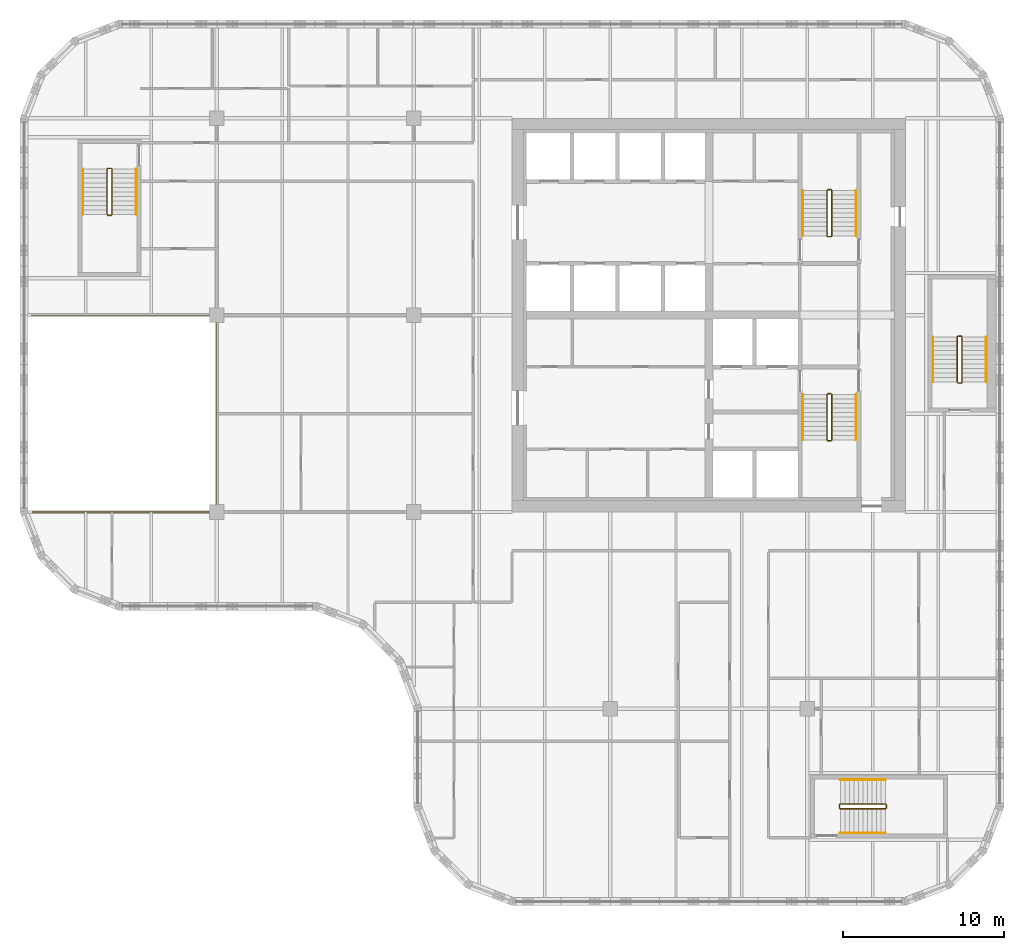
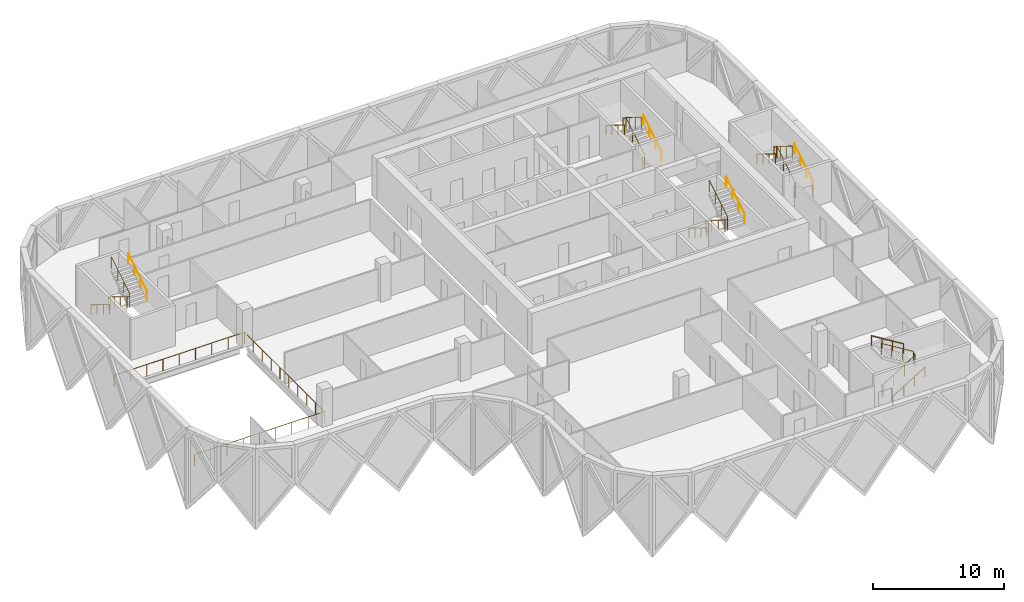
# One storey, part 15 of 15: 16 railings.
"""IFC4 building model written with IfcOpenShell, lengths in metres."""

from ifc_helpers import new_model, si_unit, direction, frame, origin, origin_2d, place, context, subcontext, project, spatial, circle, extrude, material, type_object, element, save


model = new_model("IFC4")

# Units and contexts
model_context = context("Model", 3, precision=1e-05, world=origin(), true_north=direction((0.0, 1.0)))
body_context = subcontext(model_context, "Body", "Model", "MODEL_VIEW")
ifc_project = project(units=[si_unit("LENGTHUNIT", "METRE"), si_unit("AREAUNIT", "SQUARE_METRE"), si_unit("VOLUMEUNIT", "CUBIC_METRE"), si_unit("PLANEANGLEUNIT", "RADIAN"), si_unit("MASSUNIT", "GRAM", prefix="KILO")], contexts=[model_context])

# Site, building, storey
site_placement = place(None, origin())
site = spatial("IfcSite", under=ifc_project, at=site_placement, CompositionType="ELEMENT")
building_placement = place(site_placement, origin())
building = spatial("IfcBuilding", under=site, at=building_placement, Name="Tessera Gate Towers", CompositionType="ELEMENT")
storey_placement = place(building_placement, frame((0.0, 0.0, 146.800048828125)))
storey = spatial("IfcBuildingStorey", under=building, at=storey_placement, Name="L36", CompositionType="ELEMENT", Elevation=146.800048828125)

# Railings
ifc_material_1 = material(Name="Toughened glass with stainless steel handrail", Category="steel")
railing_type_1 = type_object("IfcRailingType", Name="GUARD 1100 GLASS BALUSTRADE", PredefinedType="GUARDRAIL", material=ifc_material_1)
railing_1_placement = place(storey_placement, frame((0.750244140625, 24.39990234375, 0.0)))
element("IfcRailing", 1, at=railing_1_placement, inside=storey, type_object=railing_type_1, Name="Guard", PredefinedType="GUARDRAIL", context=body_context, shape_type="SweptSolid", body=[
    extrude(circle(Radius=0.02490234375, at=origin_2d()), frame((0.0, 0.0, 1.0751953125), z_axis=(1.0, 0.0, 0.0), x_axis=(0.0, 1.0, 0.0)), (0.0, 0.0, 1.0), 11.44970703125),
    extrude(circle(Radius=0.02490234375, at=origin_2d()), frame((11.44970703125, 0.0, 1.0751953125), z_axis=(0.0, 1.0, 0.0), x_axis=(-1.0, 0.0, 0.0)), (0.0, 0.0, 1.0), 12.2001953125),
    extrude(circle(Radius=0.02490234375, at=origin_2d()), frame((11.44970703125, 12.2001953125, 1.0751953125), z_axis=(-1.0, 0.0, 0.0), x_axis=(0.0, -1.0, 0.0)), (0.0, 0.0, 1.0), 11.5),
    extrude(circle(Radius=0.02490234375, at=origin_2d()), origin(), (0.0, 0.0, 1.0), 1.050048828125),
    extrude(circle(Radius=0.02490234375, at=origin_2d()), frame((1.43115234375, 0.0, 0.0)), (0.0, 0.0, 1.0), 1.050048828125),
    extrude(circle(Radius=0.02490234375, at=origin_2d()), frame((2.8623046875, 0.0, 0.0)), (0.0, 0.0, 1.0), 1.050048828125),
    extrude(circle(Radius=0.02490234375, at=origin_2d()), frame((4.293701171875, 0.0, 0.0)), (0.0, 0.0, 1.0), 1.050048828125),
    extrude(circle(Radius=0.02490234375, at=origin_2d()), frame((5.724853515625, 0.0, 0.0)), (0.0, 0.0, 1.0), 1.050048828125),
    extrude(circle(Radius=0.02490234375, at=origin_2d()), frame((7.156005859375, 0.0, 0.0)), (0.0, 0.0, 1.0), 1.050048828125),
    extrude(circle(Radius=0.02490234375, at=origin_2d()), frame((8.58740234375, 0.0, 0.0)), (0.0, 0.0, 1.0), 1.050048828125),
    extrude(circle(Radius=0.02490234375, at=origin_2d()), frame((10.0185546875, 0.0, 0.0)), (0.0, 0.0, 1.0), 1.050048828125),
    extrude(circle(Radius=0.02490234375, at=origin_2d()), frame((11.44970703125, 0.0, 0.0)), (0.0, 0.0, 1.0), 1.050048828125),
    extrude(circle(Radius=0.02490234375, at=origin_2d()), frame((11.44970703125, 1.35546875, 0.0)), (0.0, 0.0, 1.0), 1.050048828125),
    extrude(circle(Radius=0.02490234375, at=origin_2d()), frame((11.44970703125, 2.711181640625, 0.0)), (0.0, 0.0, 1.0), 1.050048828125),
    extrude(circle(Radius=0.02490234375, at=origin_2d()), frame((11.44970703125, 4.066650390625, 0.0)), (0.0, 0.0, 1.0), 1.050048828125),
    extrude(circle(Radius=0.02490234375, at=origin_2d()), frame((11.44970703125, 5.42236328125, 0.0)), (0.0, 0.0, 1.0), 1.050048828125),
    extrude(circle(Radius=0.02490234375, at=origin_2d()), frame((11.44970703125, 6.77783203125, 0.0)), (0.0, 0.0, 1.0), 1.050048828125),
    extrude(circle(Radius=0.02490234375, at=origin_2d()), frame((11.44970703125, 8.133544921875, 0.0)), (0.0, 0.0, 1.0), 1.050048828125),
    extrude(circle(Radius=0.02490234375, at=origin_2d()), frame((11.44970703125, 9.489013671875, 0.0)), (0.0, 0.0, 1.0), 1.050048828125),
    extrude(circle(Radius=0.02490234375, at=origin_2d()), frame((11.44970703125, 10.8447265625, 0.0)), (0.0, 0.0, 1.0), 1.050048828125),
    extrude(circle(Radius=0.02490234375, at=origin_2d()), frame((11.44970703125, 12.2001953125, 0.0)), (0.0, 0.0, 1.0), 1.050048828125),
    extrude(circle(Radius=0.02490234375, at=origin_2d()), frame((10.01220703125, 12.2001953125, 0.0)), (0.0, 0.0, 1.0), 1.050048828125),
    extrude(circle(Radius=0.02490234375, at=origin_2d()), frame((8.57470703125, 12.2001953125, 0.0)), (0.0, 0.0, 1.0), 1.050048828125),
    extrude(circle(Radius=0.02490234375, at=origin_2d()), frame((7.13720703125, 12.2001953125, 0.0)), (0.0, 0.0, 1.0), 1.050048828125),
    extrude(circle(Radius=0.02490234375, at=origin_2d()), frame((5.69970703125, 12.2001953125, 0.0)), (0.0, 0.0, 1.0), 1.050048828125),
    extrude(circle(Radius=0.02490234375, at=origin_2d()), frame((4.26220703125, 12.2001953125, 0.0)), (0.0, 0.0, 1.0), 1.050048828125),
    extrude(circle(Radius=0.02490234375, at=origin_2d()), frame((2.82470703125, 12.2001953125, 0.0)), (0.0, 0.0, 1.0), 1.050048828125),
    extrude(circle(Radius=0.02490234375, at=origin_2d()), frame((1.38720703125, 12.2001953125, 0.0)), (0.0, 0.0, 1.0), 1.050048828125),
    extrude(circle(Radius=0.02490234375, at=origin_2d()), frame((-0.05029296875, 12.2001953125, 0.0)), (0.0, 0.0, 1.0), 1.050048828125),
])
ifc_material_2 = material(Name="Steel 350W", Category="steel")
railing_type_2 = type_object("IfcRailingType", Name="STAIR GUARD 1100", PredefinedType="GUARDRAIL", material=ifc_material_2)
railing_2_placement = place(storey_placement, frame((50.27490234375, 31.72509765625, 0.0)))
element("IfcRailing", 2, at=railing_2_placement, inside=storey, type_object=railing_type_2, Name="L36 ST1 stair guard 1", PredefinedType="GUARDRAIL", context=body_context, shape_type="SweptSolid", body=[
    extrude(circle(Radius=0.02392578125, at=origin_2d()), frame((0.0, 0.0, 1.076171875), z_axis=(-1.0, 0.0, 0.0), x_axis=(0.0, -1.0, 0.0)), (0.0, 0.0, 1.0), 0.199951171875),
    extrude(circle(Radius=0.02392578125, at=origin_2d()), frame((-0.199951171875, 0.0, 1.076171875), z_axis=(-0.268277960024, -0.268277960024, 0.925231793839), x_axis=(0.707106781187, -0.707106781187, 0.0)), (0.0, 0.0, 1.0), 0.1865234375),
    extrude(circle(Radius=0.02392578125, at=origin_2d()), frame((-0.25, -0.050048828125, 1.24853515625), z_axis=(0.0, -0.851089632645, 0.525020415988), x_axis=(1.0, 0.0, 0.0)), (0.0, 0.0, 1.0), 3.2900390625),
    extrude(circle(Radius=0.02392578125, at=origin_2d()), frame((-0.25, -2.85009765625, 2.97607421875), z_axis=(0.707106781187, -0.707106781187, 0.0), x_axis=(0.707106781187, 0.707106781187, 0.0)), (0.0, 0.0, 1.0), 0.07080078125),
    extrude(circle(Radius=0.02392578125, at=origin_2d()), frame((-0.199951171875, -2.900146484375, 2.97607421875), z_axis=(1.0, 0.0, 0.0), x_axis=(0.0, 1.0, 0.0)), (0.0, 0.0, 1.0), 0.199951171875),
    extrude(circle(Radius=0.02392578125, at=origin_2d()), frame((0.0, -2.900146484375, 2.97607421875), z_axis=(0.267953482034, 0.267953482034, 0.925419830635), x_axis=(-0.707106781187, 0.707106781187, 0.0)), (0.0, 0.0, 1.0), 0.186767578125),
    extrude(circle(Radius=0.02392578125, at=origin_2d()), frame((0.050048828125, -2.85009765625, 3.14892578125), z_axis=(0.0, 0.851089632645, 0.525020415988), x_axis=(-1.0, 0.0, 0.0)), (0.0, 0.0, 1.0), 3.2900390625),
    extrude(circle(Radius=0.02099609375, at=origin_2d()), origin(), (0.0, 0.0, 1.0), 1.052001953125),
    extrude(circle(Radius=0.02099609375, at=origin_2d()), frame((-0.199951171875, 0.0, 0.0)), (0.0, 0.0, 1.0), 1.052001953125),
    extrude(circle(Radius=0.02099609375, at=origin_2d()), frame((-0.25, -0.050048828125, 0.172607421875)), (0.0, 0.0, 1.0), 1.052001953125),
    extrude(circle(Radius=0.02099609375, at=origin_2d()), frame((-0.25, -0.9833984375, 0.748291015625)), (0.0, 0.0, 1.0), 1.052001953125),
    extrude(circle(Radius=0.02099609375, at=origin_2d()), frame((-0.25, -1.916748046875, 1.32421875)), (0.0, 0.0, 1.0), 1.052001953125),
    extrude(circle(Radius=0.02099609375, at=origin_2d()), frame((-0.25, -2.85009765625, 1.89990234375)), (0.0, 0.0, 1.0), 1.052001953125),
    extrude(circle(Radius=0.02099609375, at=origin_2d()), frame((-0.199951171875, -2.900146484375, 1.89990234375)), (0.0, 0.0, 1.0), 1.052001953125),
    extrude(circle(Radius=0.02099609375, at=origin_2d()), frame((0.0, -2.900146484375, 1.89990234375)), (0.0, 0.0, 1.0), 1.052001953125),
    extrude(circle(Radius=0.02099609375, at=origin_2d()), frame((0.050048828125, -2.85009765625, 2.07275390625)), (0.0, 0.0, 1.0), 1.052001953125),
    extrude(circle(Radius=0.02099609375, at=origin_2d()), frame((0.050048828125, -1.916748046875, 2.6484375)), (0.0, 0.0, 1.0), 1.052001953125),
    extrude(circle(Radius=0.02099609375, at=origin_2d()), frame((0.050048828125, -0.9833984375, 3.224365234375)), (0.0, 0.0, 1.0), 1.052001953125),
    extrude(circle(Radius=0.02099609375, at=origin_2d()), frame((0.050048828125, -0.050048828125, 3.800048828125)), (0.0, 0.0, 1.0), 1.052001953125),
])
railing_3_placement = place(storey_placement, frame((50.074951171875, 41.47509765625, 0.0)))
element("IfcRailing", 3, at=railing_3_placement, inside=storey, type_object=railing_type_2, Name="L36 ST2 stair guard 1", PredefinedType="GUARDRAIL", context=body_context, shape_type="SweptSolid", body=[
    extrude(circle(Radius=0.02392578125, at=origin_2d()), frame((0.0, 0.0, 1.076171875), z_axis=(1.0, 0.0, 0.0), x_axis=(0.0, 1.0, 0.0)), (0.0, 0.0, 1.0), 0.199951171875),
    extrude(circle(Radius=0.02392578125, at=origin_2d()), frame((0.199951171875, 0.0, 1.076171875), z_axis=(0.268371968888, 0.267062837333, 0.925556009775), x_axis=(-0.705375805398, 0.708833529934, 0.0)), (0.0, 0.0, 1.0), 0.1865234375),
    extrude(circle(Radius=0.02392578125, at=origin_2d()), frame((0.25, 0.0498046875, 1.24853515625), z_axis=(0.0, 0.851089632645, 0.525020415988), x_axis=(-1.0, 0.0, 0.0)), (0.0, 0.0, 1.0), 3.2900390625),
    extrude(circle(Radius=0.02392578125, at=origin_2d()), frame((0.25, 2.849853515625, 2.97607421875), z_axis=(-0.707106781187, 0.707106781187, 0.0), x_axis=(-0.707106781187, -0.707106781187, 0.0)), (0.0, 0.0, 1.0), 0.07080078125),
    extrude(circle(Radius=0.02392578125, at=origin_2d()), frame((0.199951171875, 2.89990234375, 2.97607421875), z_axis=(-1.0, 0.0, 0.0), x_axis=(0.0, -1.0, 0.0)), (0.0, 0.0, 1.0), 0.199951171875),
    extrude(circle(Radius=0.02392578125, at=origin_2d()), frame((0.0, 2.89990234375, 2.97607421875), z_axis=(-0.267953482034, -0.267953482034, 0.925419830635), x_axis=(0.707106781187, -0.707106781187, 0.0)), (0.0, 0.0, 1.0), 0.186767578125),
    extrude(circle(Radius=0.02392578125, at=origin_2d()), frame((-0.050048828125, 2.849853515625, 3.14892578125), z_axis=(0.0, -0.851089632645, 0.525020415988), x_axis=(1.0, 0.0, 0.0)), (0.0, 0.0, 1.0), 3.2900390625),
    extrude(circle(Radius=0.02099609375, at=origin_2d()), origin(), (0.0, 0.0, 1.0), 1.052001953125),
    extrude(circle(Radius=0.02099609375, at=origin_2d()), frame((0.199951171875, 0.0, 0.0)), (0.0, 0.0, 1.0), 1.052001953125),
    extrude(circle(Radius=0.02099609375, at=origin_2d()), frame((0.25, 0.0498046875, 0.172607421875)), (0.0, 0.0, 1.0), 1.052001953125),
    extrude(circle(Radius=0.02099609375, at=origin_2d()), frame((0.25, 0.983154296875, 0.748291015625)), (0.0, 0.0, 1.0), 1.052001953125),
    extrude(circle(Radius=0.02099609375, at=origin_2d()), frame((0.25, 1.91650390625, 1.32421875)), (0.0, 0.0, 1.0), 1.052001953125),
    extrude(circle(Radius=0.02099609375, at=origin_2d()), frame((0.25, 2.849853515625, 1.89990234375)), (0.0, 0.0, 1.0), 1.052001953125),
    extrude(circle(Radius=0.02099609375, at=origin_2d()), frame((0.199951171875, 2.89990234375, 1.89990234375)), (0.0, 0.0, 1.0), 1.052001953125),
    extrude(circle(Radius=0.02099609375, at=origin_2d()), frame((0.0, 2.89990234375, 1.89990234375)), (0.0, 0.0, 1.0), 1.052001953125),
    extrude(circle(Radius=0.02099609375, at=origin_2d()), frame((-0.050048828125, 2.849853515625, 2.07275390625)), (0.0, 0.0, 1.0), 1.052001953125),
    extrude(circle(Radius=0.02099609375, at=origin_2d()), frame((-0.050048828125, 1.91650390625, 2.6484375)), (0.0, 0.0, 1.0), 1.052001953125),
    extrude(circle(Radius=0.02099609375, at=origin_2d()), frame((-0.050048828125, 0.983154296875, 3.224365234375)), (0.0, 0.0, 1.0), 1.052001953125),
    extrude(circle(Radius=0.02099609375, at=origin_2d()), frame((-0.050048828125, 0.0498046875, 3.800048828125)), (0.0, 0.0, 1.0), 1.052001953125),
])
railing_4_placement = place(storey_placement, frame((5.64990234375, 45.699951171875, 0.0)))
element("IfcRailing", 4, at=railing_4_placement, inside=storey, type_object=railing_type_2, Name="L36 ST3 stair guard 1", PredefinedType="GUARDRAIL", context=body_context, shape_type="SweptSolid", body=[
    extrude(circle(Radius=0.02392578125, at=origin_2d()), frame((0.0, 0.0, 1.076171875), z_axis=(-1.0, 0.0, 0.0), x_axis=(0.0, -1.0, 0.0)), (0.0, 0.0, 1.0), 0.199951171875),
    extrude(circle(Radius=0.02392578125, at=origin_2d()), frame((-0.199951171875, 0.0, 1.076171875), z_axis=(-0.268277960024, -0.268277960024, 0.925231793839), x_axis=(0.707106781187, -0.707106781187, 0.0)), (0.0, 0.0, 1.0), 0.1865234375),
    extrude(circle(Radius=0.02392578125, at=origin_2d()), frame((-0.25, -0.050048828125, 1.24853515625), z_axis=(0.0, -0.851069175582, 0.525053576669), x_axis=(1.0, 0.0, 0.0)), (0.0, 0.0, 1.0), 3.289794921875),
    extrude(circle(Radius=0.02392578125, at=origin_2d()), frame((-0.25, -2.849853515625, 2.97607421875), z_axis=(0.707106781187, -0.707106781187, 0.0), x_axis=(0.707106781187, 0.707106781187, 0.0)), (0.0, 0.0, 1.0), 0.07080078125),
    extrude(circle(Radius=0.02392578125, at=origin_2d()), frame((-0.199951171875, -2.89990234375, 2.97607421875), z_axis=(1.0, 0.0, 0.0), x_axis=(0.0, 1.0, 0.0)), (0.0, 0.0, 1.0), 0.199951171875),
    extrude(circle(Radius=0.02392578125, at=origin_2d()), frame((0.0, -2.89990234375, 2.97607421875), z_axis=(0.267953482034, 0.267953482034, 0.925419830635), x_axis=(-0.707106781187, 0.707106781187, 0.0)), (0.0, 0.0, 1.0), 0.186767578125),
    extrude(circle(Radius=0.02392578125, at=origin_2d()), frame((0.050048828125, -2.849853515625, 3.14892578125), z_axis=(0.0, 0.851069175582, 0.525053576669), x_axis=(-1.0, 0.0, 0.0)), (0.0, 0.0, 1.0), 3.289794921875),
    extrude(circle(Radius=0.02099609375, at=origin_2d()), origin(), (0.0, 0.0, 1.0), 1.052001953125),
    extrude(circle(Radius=0.02099609375, at=origin_2d()), frame((-0.199951171875, 0.0, 0.0)), (0.0, 0.0, 1.0), 1.052001953125),
    extrude(circle(Radius=0.02099609375, at=origin_2d()), frame((-0.25, -0.050048828125, 0.172607421875)), (0.0, 0.0, 1.0), 1.052001953125),
    extrude(circle(Radius=0.02099609375, at=origin_2d()), frame((-0.25, -0.9833984375, 0.748291015625)), (0.0, 0.0, 1.0), 1.052001953125),
    extrude(circle(Radius=0.02099609375, at=origin_2d()), frame((-0.25, -1.91650390625, 1.32421875)), (0.0, 0.0, 1.0), 1.052001953125),
    extrude(circle(Radius=0.02099609375, at=origin_2d()), frame((-0.25, -2.849853515625, 1.89990234375)), (0.0, 0.0, 1.0), 1.052001953125),
    extrude(circle(Radius=0.02099609375, at=origin_2d()), frame((-0.199951171875, -2.89990234375, 1.89990234375)), (0.0, 0.0, 1.0), 1.052001953125),
    extrude(circle(Radius=0.02099609375, at=origin_2d()), frame((0.0, -2.89990234375, 1.89990234375)), (0.0, 0.0, 1.0), 1.052001953125),
    extrude(circle(Radius=0.02099609375, at=origin_2d()), frame((0.050048828125, -2.849853515625, 2.07275390625)), (0.0, 0.0, 1.0), 1.052001953125),
    extrude(circle(Radius=0.02099609375, at=origin_2d()), frame((0.050048828125, -1.91650390625, 2.6484375)), (0.0, 0.0, 1.0), 1.052001953125),
    extrude(circle(Radius=0.02099609375, at=origin_2d()), frame((0.050048828125, -0.9833984375, 3.224365234375)), (0.0, 0.0, 1.0), 1.052001953125),
    extrude(circle(Radius=0.02099609375, at=origin_2d()), frame((0.050048828125, -0.050048828125, 3.800048828125)), (0.0, 0.0, 1.0), 1.052001953125),
])
railing_5_placement = place(storey_placement, frame((50.800048828125, 6.25, 0.0)))
element("IfcRailing", 5, at=railing_5_placement, inside=storey, type_object=railing_type_2, Name="L36 ST4 stair guard 1", PredefinedType="GUARDRAIL", context=body_context, shape_type="SweptSolid", body=[
    extrude(circle(Radius=0.02392578125, at=origin_2d()), frame((0.0, 0.0, 1.076171875), z_axis=(0.0, -1.0, 0.0), x_axis=(1.0, 0.0, 0.0)), (0.0, 0.0, 1.0), 0.199951171875),
    extrude(circle(Radius=0.02392578125, at=origin_2d()), frame((0.0, -0.199951171875, 1.076171875), z_axis=(0.268277960024, -0.268277960024, 0.925231793839), x_axis=(0.707106781187, 0.707106781187, 0.0)), (0.0, 0.0, 1.0), 0.1865234375),
    extrude(circle(Radius=0.02392578125, at=origin_2d()), frame((0.050048828125, -0.25, 1.24853515625), z_axis=(0.851069175582, 0.0, 0.525053576669), x_axis=(0.0, 1.0, 0.0)), (0.0, 0.0, 1.0), 3.289794921875),
    extrude(circle(Radius=0.02392578125, at=origin_2d()), frame((2.849853515625, -0.25, 2.97607421875), z_axis=(0.707106781187, 0.707106781187, 0.0), x_axis=(-0.707106781187, 0.707106781187, 0.0)), (0.0, 0.0, 1.0), 0.07080078125),
    extrude(circle(Radius=0.02392578125, at=origin_2d()), frame((2.89990234375, -0.199951171875, 2.97607421875), z_axis=(0.0, 1.0, 0.0), x_axis=(-1.0, 0.0, 0.0)), (0.0, 0.0, 1.0), 0.199951171875),
    extrude(circle(Radius=0.02392578125, at=origin_2d()), frame((2.89990234375, 0.0, 2.97607421875), z_axis=(-0.267953482034, 0.267953482034, 0.925419830635), x_axis=(-0.707106781187, -0.707106781187, 0.0)), (0.0, 0.0, 1.0), 0.186767578125),
    extrude(circle(Radius=0.02392578125, at=origin_2d()), frame((2.849853515625, 0.050048828125, 3.14892578125), z_axis=(-0.851069175582, 0.0, 0.525053576669), x_axis=(0.0, -1.0, 0.0)), (0.0, 0.0, 1.0), 3.289794921875),
    extrude(circle(Radius=0.02099609375, at=origin_2d()), origin(), (0.0, 0.0, 1.0), 1.052001953125),
    extrude(circle(Radius=0.02099609375, at=origin_2d()), frame((0.0, -0.199951171875, 0.0)), (0.0, 0.0, 1.0), 1.052001953125),
    extrude(circle(Radius=0.02099609375, at=origin_2d()), frame((0.050048828125, -0.25, 0.172607421875)), (0.0, 0.0, 1.0), 1.052001953125),
    extrude(circle(Radius=0.02099609375, at=origin_2d()), frame((0.9833984375, -0.25, 0.748291015625)), (0.0, 0.0, 1.0), 1.052001953125),
    extrude(circle(Radius=0.02099609375, at=origin_2d()), frame((1.91650390625, -0.25, 1.32421875)), (0.0, 0.0, 1.0), 1.052001953125),
    extrude(circle(Radius=0.02099609375, at=origin_2d()), frame((2.849853515625, -0.25, 1.89990234375)), (0.0, 0.0, 1.0), 1.052001953125),
    extrude(circle(Radius=0.02099609375, at=origin_2d()), frame((2.89990234375, -0.199951171875, 1.89990234375)), (0.0, 0.0, 1.0), 1.052001953125),
    extrude(circle(Radius=0.02099609375, at=origin_2d()), frame((2.89990234375, 0.0, 1.89990234375)), (0.0, 0.0, 1.0), 1.052001953125),
    extrude(circle(Radius=0.02099609375, at=origin_2d()), frame((2.849853515625, 0.050048828125, 2.07275390625)), (0.0, 0.0, 1.0), 1.052001953125),
    extrude(circle(Radius=0.02099609375, at=origin_2d()), frame((1.91650390625, 0.050048828125, 2.6484375)), (0.0, 0.0, 1.0), 1.052001953125),
    extrude(circle(Radius=0.02099609375, at=origin_2d()), frame((0.9833984375, 0.050048828125, 3.224365234375)), (0.0, 0.0, 1.0), 1.052001953125),
    extrude(circle(Radius=0.02099609375, at=origin_2d()), frame((0.050048828125, 0.050048828125, 3.800048828125)), (0.0, 0.0, 1.0), 1.052001953125),
])
railing_6_placement = place(storey_placement, frame((58.14990234375, 32.39990234375, 0.0)))
element("IfcRailing", 6, at=railing_6_placement, inside=storey, type_object=railing_type_2, Name="L36 ST5 stair guard 1", PredefinedType="GUARDRAIL", context=body_context, shape_type="SweptSolid", body=[
    extrude(circle(Radius=0.02392578125, at=origin_2d()), frame((0.0, 0.0, 1.076171875), z_axis=(1.0, 0.0, 0.0), x_axis=(0.0, 1.0, 0.0)), (0.0, 0.0, 1.0), 0.2001953125),
    extrude(circle(Radius=0.02392578125, at=origin_2d()), frame((0.2001953125, 0.0, 1.076171875), z_axis=(0.267062837333, 0.268371968888, 0.925556009775), x_axis=(-0.708833529934, 0.705375805398, 0.0)), (0.0, 0.0, 1.0), 0.1865234375),
    extrude(circle(Radius=0.02392578125, at=origin_2d()), frame((0.25, 0.050048828125, 1.24853515625), z_axis=(0.0, 0.851089632645, 0.525020415988), x_axis=(-1.0, 0.0, 0.0)), (0.0, 0.0, 1.0), 3.2900390625),
    extrude(circle(Radius=0.02392578125, at=origin_2d()), frame((0.25, 2.85009765625, 2.97607421875), z_axis=(-0.705375805398, 0.708833529934, 0.0), x_axis=(-0.708833529934, -0.705375805398, 0.0)), (0.0, 0.0, 1.0), 0.070556640625),
    extrude(circle(Radius=0.02392578125, at=origin_2d()), frame((0.2001953125, 2.900146484375, 2.97607421875), z_axis=(-1.0, 0.0, 0.0), x_axis=(0.0, -1.0, 0.0)), (0.0, 0.0, 1.0), 0.2001953125),
    extrude(circle(Radius=0.02392578125, at=origin_2d()), frame((0.0, 2.900146484375, 2.97607421875), z_axis=(-0.266739603011, -0.268047150085, 0.925743328097), x_axis=(0.708833529934, -0.705375805398, 0.0)), (0.0, 0.0, 1.0), 0.186767578125),
    extrude(circle(Radius=0.02392578125, at=origin_2d()), frame((-0.0498046875, 2.85009765625, 3.14892578125), z_axis=(0.0, -0.851089632645, 0.525020415988), x_axis=(1.0, 0.0, 0.0)), (0.0, 0.0, 1.0), 3.2900390625),
    extrude(circle(Radius=0.02099609375, at=origin_2d()), origin(), (0.0, 0.0, 1.0), 1.052001953125),
    extrude(circle(Radius=0.02099609375, at=origin_2d()), frame((0.2001953125, 0.0, 0.0)), (0.0, 0.0, 1.0), 1.052001953125),
    extrude(circle(Radius=0.02099609375, at=origin_2d()), frame((0.25, 0.050048828125, 0.172607421875)), (0.0, 0.0, 1.0), 1.052001953125),
    extrude(circle(Radius=0.02099609375, at=origin_2d()), frame((0.25, 0.9833984375, 0.748291015625)), (0.0, 0.0, 1.0), 1.052001953125),
    extrude(circle(Radius=0.02099609375, at=origin_2d()), frame((0.25, 1.916748046875, 1.32421875)), (0.0, 0.0, 1.0), 1.052001953125),
    extrude(circle(Radius=0.02099609375, at=origin_2d()), frame((0.25, 2.85009765625, 1.89990234375)), (0.0, 0.0, 1.0), 1.052001953125),
    extrude(circle(Radius=0.02099609375, at=origin_2d()), frame((0.2001953125, 2.900146484375, 1.89990234375)), (0.0, 0.0, 1.0), 1.052001953125),
    extrude(circle(Radius=0.02099609375, at=origin_2d()), frame((0.0, 2.900146484375, 1.89990234375)), (0.0, 0.0, 1.0), 1.052001953125),
    extrude(circle(Radius=0.02099609375, at=origin_2d()), frame((-0.0498046875, 2.85009765625, 2.07275390625)), (0.0, 0.0, 1.0), 1.052001953125),
    extrude(circle(Radius=0.02099609375, at=origin_2d()), frame((-0.0498046875, 1.916748046875, 2.6484375)), (0.0, 0.0, 1.0), 1.052001953125),
    extrude(circle(Radius=0.02099609375, at=origin_2d()), frame((-0.0498046875, 0.9833984375, 3.224365234375)), (0.0, 0.0, 1.0), 1.052001953125),
    extrude(circle(Radius=0.02099609375, at=origin_2d()), frame((-0.0498046875, 0.050048828125, 3.800048828125)), (0.0, 0.0, 1.0), 1.052001953125),
])
ifc_material_3 = material(Name="Steel 350W", Category="steel")
railing_type_3 = type_object("IfcRailingType", Name="STAIR HANDRAIL 900", PredefinedType="HANDRAIL", material=ifc_material_3)
railing_7_placement = place(storey_placement, frame((48.52490234375, 31.675048828125, 0.172607421875)))
element("IfcRailing", 7, at=railing_7_placement, inside=storey, type_object=railing_type_3, Name="L36 ST1 stair handrail 1", PredefinedType="HANDRAIL", context=body_context, shape_type="SweptSolid", body=[
    extrude(circle(Radius=0.02392578125, at=origin_2d()), frame((0.0, 0.0, 0.8759765625), z_axis=(0.0, -0.851089632645, 0.525020415988), x_axis=(1.0, 0.0, 0.0)), (0.0, 0.0, 1.0), 3.2900390625),
    extrude(circle(Radius=0.02099609375, at=origin_2d()), origin(), (0.0, 0.0, 1.0), 0.851806640625),
    extrude(circle(Radius=0.02099609375, at=origin_2d()), frame((0.0, -0.933349609375, 0.57568359375)), (0.0, 0.0, 1.0), 0.851806640625),
    extrude(circle(Radius=0.02099609375, at=origin_2d()), frame((0.0, -1.86669921875, 1.151611328125)), (0.0, 0.0, 1.0), 0.851806640625),
    extrude(circle(Radius=0.02099609375, at=origin_2d()), frame((0.0, -2.800048828125, 1.727294921875)), (0.0, 0.0, 1.0), 0.851806640625),
])
for number, where, name in (
    (8, (51.824951171875, 28.875, 2.07275390625), "L36 ST1 stair handrail 2"),
    (9, (51.824951171875, 41.52490234375, 0.172607421875), "L36 ST2 stair handrail 1"),
):
    element("IfcRailing", number, at=place(storey_placement, frame(where)), inside=storey, type_object=railing_type_3, Name=name, PredefinedType="HANDRAIL", context=body_context, shape_type="SweptSolid", body=[
        extrude(circle(Radius=0.02392578125, at=origin_2d()), frame((0.0, 0.0, 0.8759765625), z_axis=(0.0, 0.851089632645, 0.525020415988), x_axis=(-1.0, 0.0, 0.0)), (0.0, 0.0, 1.0), 3.2900390625),
        extrude(circle(Radius=0.02099609375, at=origin_2d()), origin(), (0.0, 0.0, 1.0), 0.851806640625),
        extrude(circle(Radius=0.02099609375, at=origin_2d()), frame((0.0, 0.933349609375, 0.57568359375)), (0.0, 0.0, 1.0), 0.851806640625),
        extrude(circle(Radius=0.02099609375, at=origin_2d()), frame((0.0, 1.86669921875, 1.151611328125)), (0.0, 0.0, 1.0), 0.851806640625),
        extrude(circle(Radius=0.02099609375, at=origin_2d()), frame((0.0, 2.800048828125, 1.727294921875)), (0.0, 0.0, 1.0), 0.851806640625),
    ])
railing_8_placement = place(storey_placement, frame((48.52490234375, 44.324951171875, 2.07275390625)))
element("IfcRailing", 10, at=railing_8_placement, inside=storey, type_object=railing_type_3, Name="L36 ST2 stair handrail 2", PredefinedType="HANDRAIL", context=body_context, shape_type="SweptSolid", body=[
    extrude(circle(Radius=0.02392578125, at=origin_2d()), frame((0.0, 0.0, 0.8759765625), z_axis=(0.0, -0.851089632645, 0.525020415988), x_axis=(1.0, 0.0, 0.0)), (0.0, 0.0, 1.0), 3.2900390625),
    extrude(circle(Radius=0.02099609375, at=origin_2d()), origin(), (0.0, 0.0, 1.0), 0.851806640625),
    extrude(circle(Radius=0.02099609375, at=origin_2d()), frame((0.0, -0.933349609375, 0.57568359375)), (0.0, 0.0, 1.0), 0.851806640625),
    extrude(circle(Radius=0.02099609375, at=origin_2d()), frame((0.0, -1.86669921875, 1.151611328125)), (0.0, 0.0, 1.0), 0.851806640625),
    extrude(circle(Radius=0.02099609375, at=origin_2d()), frame((0.0, -2.800048828125, 1.727294921875)), (0.0, 0.0, 1.0), 0.851806640625),
])
railing_9_placement = place(storey_placement, frame((3.89990234375, 45.64990234375, 0.172607421875)))
element("IfcRailing", 11, at=railing_9_placement, inside=storey, type_object=railing_type_3, Name="L36 ST3 stair handrail 1", PredefinedType="HANDRAIL", context=body_context, shape_type="SweptSolid", body=[
    extrude(circle(Radius=0.02392578125, at=origin_2d()), frame((0.0, 0.0, 0.8759765625), z_axis=(0.0, -0.851069175582, 0.525053576669), x_axis=(1.0, 0.0, 0.0)), (0.0, 0.0, 1.0), 3.289794921875),
    extrude(circle(Radius=0.02099609375, at=origin_2d()), origin(), (0.0, 0.0, 1.0), 0.851806640625),
    extrude(circle(Radius=0.02099609375, at=origin_2d()), frame((0.0, -0.933349609375, 0.57568359375)), (0.0, 0.0, 1.0), 0.851806640625),
    extrude(circle(Radius=0.02099609375, at=origin_2d()), frame((0.0, -1.866455078125, 1.151611328125)), (0.0, 0.0, 1.0), 0.851806640625),
    extrude(circle(Radius=0.02099609375, at=origin_2d()), frame((0.0, -2.7998046875, 1.727294921875)), (0.0, 0.0, 1.0), 0.851806640625),
])
railing_10_placement = place(storey_placement, frame((7.199951171875, 42.85009765625, 2.07275390625)))
element("IfcRailing", 12, at=railing_10_placement, inside=storey, type_object=railing_type_3, Name="L36 ST3 stair handrail 2", PredefinedType="HANDRAIL", context=body_context, shape_type="SweptSolid", body=[
    extrude(circle(Radius=0.02392578125, at=origin_2d()), frame((0.0, 0.0, 0.8759765625), z_axis=(0.0, 0.851069175582, 0.525053576669), x_axis=(-1.0, 0.0, 0.0)), (0.0, 0.0, 1.0), 3.289794921875),
    extrude(circle(Radius=0.02099609375, at=origin_2d()), origin(), (0.0, 0.0, 1.0), 0.851806640625),
    extrude(circle(Radius=0.02099609375, at=origin_2d()), frame((0.0, 0.933349609375, 0.57568359375)), (0.0, 0.0, 1.0), 0.851806640625),
    extrude(circle(Radius=0.02099609375, at=origin_2d()), frame((0.0, 1.866455078125, 1.151611328125)), (0.0, 0.0, 1.0), 0.851806640625),
    extrude(circle(Radius=0.02099609375, at=origin_2d()), frame((0.0, 2.7998046875, 1.727294921875)), (0.0, 0.0, 1.0), 0.851806640625),
])
railing_11_placement = place(storey_placement, frame((50.85009765625, 4.5, 0.172607421875)))
element("IfcRailing", 13, at=railing_11_placement, inside=storey, type_object=railing_type_3, Name="L36 ST4 stair handrail 1", PredefinedType="HANDRAIL", context=body_context, shape_type="SweptSolid", body=[
    extrude(circle(Radius=0.02392578125, at=origin_2d()), frame((0.0, 0.0, 0.8759765625), z_axis=(0.851069175582, 0.0, 0.525053576669), x_axis=(0.0, 1.0, 0.0)), (0.0, 0.0, 1.0), 3.289794921875),
    extrude(circle(Radius=0.02099609375, at=origin_2d()), origin(), (0.0, 0.0, 1.0), 0.851806640625),
    extrude(circle(Radius=0.02099609375, at=origin_2d()), frame((0.933349609375, 0.0, 0.57568359375)), (0.0, 0.0, 1.0), 0.851806640625),
    extrude(circle(Radius=0.02099609375, at=origin_2d()), frame((1.866455078125, 0.0, 1.151611328125)), (0.0, 0.0, 1.0), 0.851806640625),
    extrude(circle(Radius=0.02099609375, at=origin_2d()), frame((2.7998046875, 0.0, 1.727294921875)), (0.0, 0.0, 1.0), 0.851806640625),
])
railing_12_placement = place(storey_placement, frame((53.64990234375, 7.800048828125, 2.07275390625)))
element("IfcRailing", 14, at=railing_12_placement, inside=storey, type_object=railing_type_3, Name="L36 ST4 stair handrail 2", PredefinedType="HANDRAIL", context=body_context, shape_type="SweptSolid", body=[
    extrude(circle(Radius=0.02392578125, at=origin_2d()), frame((0.0, 0.0, 0.8759765625), z_axis=(-0.851069175582, 0.0, 0.525053576669), x_axis=(0.0, -1.0, 0.0)), (0.0, 0.0, 1.0), 3.289794921875),
    extrude(circle(Radius=0.02099609375, at=origin_2d()), origin(), (0.0, 0.0, 1.0), 0.851806640625),
    extrude(circle(Radius=0.02099609375, at=origin_2d()), frame((-0.933349609375, 0.0, 0.57568359375)), (0.0, 0.0, 1.0), 0.851806640625),
    extrude(circle(Radius=0.02099609375, at=origin_2d()), frame((-1.866455078125, 0.0, 1.151611328125)), (0.0, 0.0, 1.0), 0.851806640625),
    extrude(circle(Radius=0.02099609375, at=origin_2d()), frame((-2.7998046875, 0.0, 1.727294921875)), (0.0, 0.0, 1.0), 0.851806640625),
])
railing_13_placement = place(storey_placement, frame((59.89990234375, 32.449951171875, 0.172607421875)))
element("IfcRailing", 15, at=railing_13_placement, inside=storey, type_object=railing_type_3, Name="L36 ST5 stair handrail 1", PredefinedType="HANDRAIL", context=body_context, shape_type="SweptSolid", body=[
    extrude(circle(Radius=0.02392578125, at=origin_2d()), frame((0.0, 0.0, 0.8759765625), z_axis=(0.0, 0.851089632645, 0.525020415988), x_axis=(-1.0, 0.0, 0.0)), (0.0, 0.0, 1.0), 3.2900390625),
    extrude(circle(Radius=0.02099609375, at=origin_2d()), origin(), (0.0, 0.0, 1.0), 0.851806640625),
    extrude(circle(Radius=0.02099609375, at=origin_2d()), frame((0.0, 0.933349609375, 0.57568359375)), (0.0, 0.0, 1.0), 0.851806640625),
    extrude(circle(Radius=0.02099609375, at=origin_2d()), frame((0.0, 1.86669921875, 1.151611328125)), (0.0, 0.0, 1.0), 0.851806640625),
    extrude(circle(Radius=0.02099609375, at=origin_2d()), frame((0.0, 2.800048828125, 1.727294921875)), (0.0, 0.0, 1.0), 0.851806640625),
])
railing_14_placement = place(storey_placement, frame((56.60009765625, 35.25, 2.07275390625)))
element("IfcRailing", 16, at=railing_14_placement, inside=storey, type_object=railing_type_3, Name="L36 ST5 stair handrail 2", PredefinedType="HANDRAIL", context=body_context, shape_type="SweptSolid", body=[
    extrude(circle(Radius=0.02392578125, at=origin_2d()), frame((0.0, 0.0, 0.8759765625), z_axis=(0.0, -0.851089632645, 0.525020415988), x_axis=(1.0, 0.0, 0.0)), (0.0, 0.0, 1.0), 3.2900390625),
    extrude(circle(Radius=0.02099609375, at=origin_2d()), origin(), (0.0, 0.0, 1.0), 0.851806640625),
    extrude(circle(Radius=0.02099609375, at=origin_2d()), frame((0.0, -0.933349609375, 0.57568359375)), (0.0, 0.0, 1.0), 0.851806640625),
    extrude(circle(Radius=0.02099609375, at=origin_2d()), frame((0.0, -1.86669921875, 1.151611328125)), (0.0, 0.0, 1.0), 0.851806640625),
    extrude(circle(Radius=0.02099609375, at=origin_2d()), frame((0.0, -2.800048828125, 1.727294921875)), (0.0, 0.0, 1.0), 0.851806640625),
])

save(model, "model.ifc")
